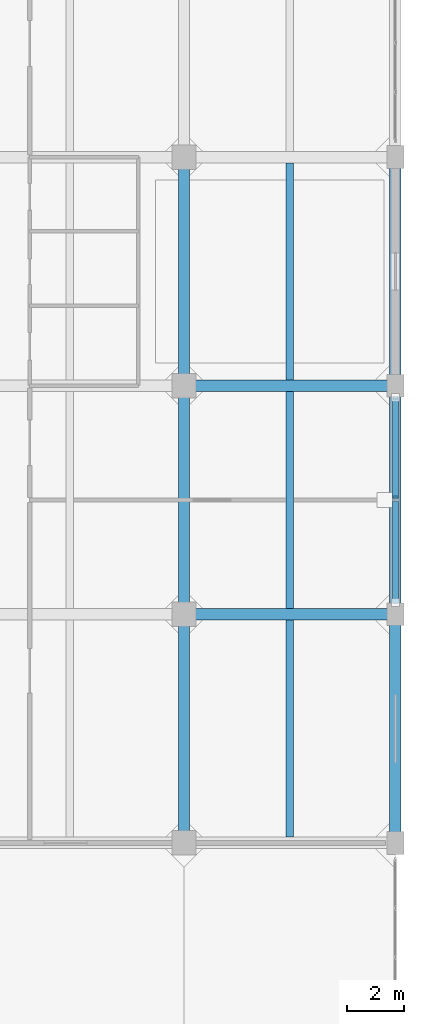
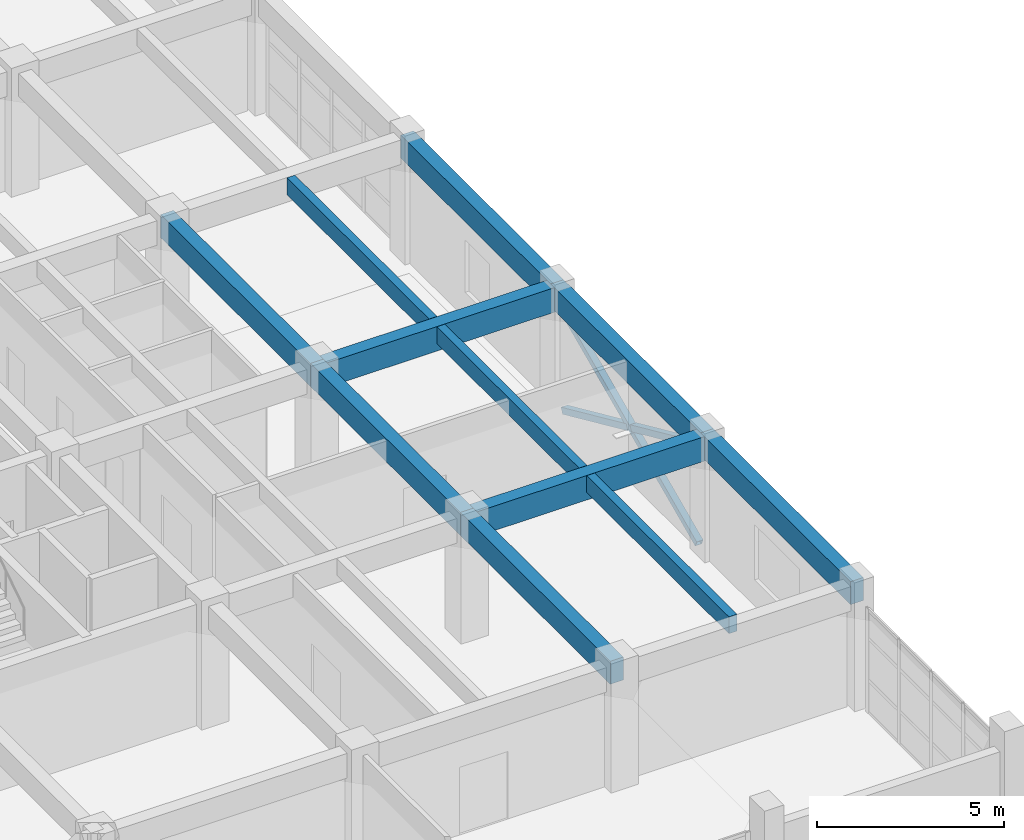
# One storey, part 10 of 27: 11 beams, 3 members.
"""IFC4 building model written with IfcOpenShell, lengths in metres."""

import ifcopenshell
import ifcopenshell.guid

model = None  # the IFC model being written
_history = None  # IfcOwnerHistory: only IFC2X3 demands one
_inside = {}  # id of a spatial element -> (the spatial element, [elements in it])
_under = {}  # id of a project, library or spatial element -> (it, [spatial elements below it])
_declared = {}  # id of a project -> (the project, [libraries it declares])
_typed = {}  # id of a type object -> (the type object, [elements of that type])
_made_of = {}  # id of a material, layer set ... -> (it, [elements and type objects made of it])


def new_model(schema):
    """Start an empty IFC model of exactly this schema.

    Asked for "IFC4X3", IfcOpenShell would pick the latest addendum, in which some entities
    have other attributes; the version numbers below select the first issue.
    IFC2X3 requires an IfcOwnerHistory on every rooted entity: one is made here for all.
    """
    global model, _history
    if schema == "IFC4X3":
        model = ifcopenshell.file(schema_version=(4, 3, 0, 0))
    else:
        model = ifcopenshell.file(schema=schema)
    _inside.clear()
    _under.clear()
    _declared.clear()
    _typed.clear()
    _made_of.clear()
    _history = None
    if model.schema == "IFC2X3":
        org = make("IfcOrganization", Name="unknown")
        user = make(
            "IfcPersonAndOrganization",
            ThePerson=make("IfcPerson", FamilyName="unknown"),
            TheOrganization=org,
        )
        app = make(
            "IfcApplication",
            ApplicationDeveloper=org,
            Version="unknown",
            ApplicationFullName="unknown",
            ApplicationIdentifier="unknown",
        )
        _history = make(
            "IfcOwnerHistory",
            OwningUser=user,
            OwningApplication=app,
            ChangeAction="ADDED",
            CreationDate=0,
        )
    return model


def make(cls, **values):
    """One entity of the class cls with the attributes given. An attribute that is None is left unset."""
    return model.create_entity(
        cls, **{name: value for name, value in values.items() if value is not None}
    )


def rooted(cls, **values):
    """An entity with a GlobalId (a new one), such as an element, a storey or a relation."""
    return make(cls, GlobalId=ifcopenshell.guid.new(), OwnerHistory=_history, **values)


def si_unit(unit_type, name, prefix=None):
    """IfcSIUnit, for example si_unit("LENGTHUNIT", "METRE", prefix="MILLI")."""
    return make("IfcSIUnit", UnitType=unit_type, Prefix=prefix, Name=name)


def assignment(units):
    """IfcUnitAssignment: the units of a project."""
    return None if units is None else make("IfcUnitAssignment", Units=units)


def point(xyz):
    """IfcCartesianPoint."""
    return None if xyz is None else make("IfcCartesianPoint", Coordinates=xyz)


def direction(xyz):
    """IfcDirection."""
    return None if xyz is None else make("IfcDirection", DirectionRatios=xyz)


def frame(location, z_axis=None, x_axis=None):
    """IfcAxis2Placement3D, a coordinate frame: its origin and axes. An axis left out is left unset."""
    return make(
        "IfcAxis2Placement3D",
        Location=point(location),
        Axis=direction(z_axis),
        RefDirection=direction(x_axis),
    )


def frame_2d(location, x_axis=None):
    """IfcAxis2Placement2D, a coordinate frame in the plane: its origin and x axis."""
    return make(
        "IfcAxis2Placement2D", Location=point(location), RefDirection=direction(x_axis)
    )


def origin():
    """The frame at (0, 0, 0) with its axes left unset."""
    return frame((0.0, 0.0, 0.0))


def origin_2d():
    """The frame at (0, 0) in the plane with its x axis left unset."""
    return frame_2d((0.0, 0.0))


def place(relative_to, where):
    """IfcLocalPlacement: puts the frame where relative to a parent placement (None: the world)."""
    return make(
        "IfcLocalPlacement", PlacementRelTo=relative_to, RelativePlacement=where
    )


def context(
    kind, dimensions, precision=None, world=None, true_north=None, identifier=None
):
    """IfcGeometricRepresentationContext, for example the 3D "Model" context."""
    return make(
        "IfcGeometricRepresentationContext",
        ContextIdentifier=identifier,
        ContextType=kind,
        CoordinateSpaceDimension=dimensions,
        Precision=precision,
        WorldCoordinateSystem=world,
        TrueNorth=true_north,
    )


def subcontext(parent, identifier, kind, view, scale=None):
    """IfcGeometricRepresentationSubContext, for example "Body" below "Model"."""
    return make(
        "IfcGeometricRepresentationSubContext",
        ContextIdentifier=identifier,
        ContextType=kind,
        ParentContext=parent,
        TargetScale=scale,
        TargetView=view,
    )


def project(units=None, contexts=None):
    """IfcProject with its units and contexts."""
    return rooted(
        "IfcProject",
        Name="project",
        RepresentationContexts=contexts,
        UnitsInContext=assignment(units),
    )


def spatial(cls, under=None, at=None, **own):
    """A site, building, storey or space (cls), placed at a placement, below another one or the project."""
    s = rooted(cls, ObjectPlacement=at, **own)
    if under is not None:
        _under.setdefault(under.id(), (under, []))[1].append(s)
    return s


def profile(cls, at=None, kind="AREA", **sizes):
    """A parametric profile (cls). Its sizes go by their IFC names, for example OverallWidth=200.0."""
    return make(cls, ProfileType=kind, Position=at, **sizes)


def rectangle(**sizes):
    """IfcRectangleProfileDef."""
    return profile("IfcRectangleProfileDef", **sizes)


def hollow_rectangle(**sizes):
    """IfcRectangleHollowProfileDef."""
    return profile("IfcRectangleHollowProfileDef", **sizes)


def extrude(swept, where, along, depth):
    """IfcExtrudedAreaSolid: the profile swept, set in the frame where, extruded along a direction by depth."""
    return make(
        "IfcExtrudedAreaSolid",
        SweptArea=swept,
        Position=where,
        ExtrudedDirection=direction(along),
        Depth=depth,
    )


def shape(context_of_items, identifier, shape_type, items):
    """IfcShapeRepresentation: the items that make up one representation, for example the "Body"."""
    return make(
        "IfcShapeRepresentation",
        ContextOfItems=context_of_items,
        RepresentationIdentifier=identifier,
        RepresentationType=shape_type,
        Items=items,
    )


def material(Name=None, Category=None):
    """IfcMaterial."""
    return make("IfcMaterial", Name=Name, Category=Category)


def material_profile(
    of_material, cross_section, Name=None, Category=None, Priority=None
):
    """IfcMaterialProfile: a cross section and its material."""
    return make(
        "IfcMaterialProfile",
        Name=Name,
        Material=of_material,
        Profile=cross_section,
        Priority=Priority,
        Category=Category,
    )


def profile_set(profiles, Name=None, composite=None):
    """IfcMaterialProfileSet."""
    return make(
        "IfcMaterialProfileSet",
        Name=Name,
        MaterialProfiles=profiles,
        CompositeProfile=composite,
    )


def made_of(thing, what):
    """Note that an element or type object is made of a material, layer set ...; save() writes the relation."""
    if what is not None:
        _made_of.setdefault(what.id(), (what, []))[1].append(thing)
    return thing


def type_object(cls, material=None, **own):
    """A type object (cls), such as IfcWallType, which elements share."""
    return made_of(rooted(cls, **own), material)


def element(
    cls,
    number,
    at=None,
    inside=None,
    cuts=None,
    type_object=None,
    material=None,
    context=None,
    identifier="Body",
    shape_type=None,
    held_by="IfcProductDefinitionShape",
    body=None,
    shapes=None,
    **own,
):
    """One element of the class cls, such as IfcWall. Its Tag is "e" and its number.

    at: its placement. inside: the storey or other place that contains it. cuts: it is an
    opening in that element (IfcRelVoidsElement). A single representation is given by context,
    identifier, shape_type and body (its items); several are given by shapes. held_by: the class
    of the entity that holds the representations. save() writes the other relations.
    """
    e = rooted(cls, Tag="e%d" % number, ObjectPlacement=at, **own)
    if body is not None:
        shapes = [shape(context, identifier, shape_type, body)]
    if shapes is not None:
        e.Representation = make(held_by, Representations=shapes)
    if inside is not None:
        _inside.setdefault(inside.id(), (inside, []))[1].append(e)
    if cuts is not None:
        rooted(
            "IfcRelVoidsElement", RelatingBuildingElement=cuts, RelatedOpeningElement=e
        )
    if type_object is not None:
        _typed.setdefault(type_object.id(), (type_object, []))[1].append(e)
    return made_of(e, material)


def aggregate(whole, parts):
    """IfcRelAggregates: a whole, such as a stair, and the parts it consists of."""
    return rooted("IfcRelAggregates", RelatingObject=whole, RelatedObjects=parts)


def save(model, path):
    """Write the relations noted so far, then the file.

    IfcRelAggregates (storeys below a building ...), IfcRelContainedInSpatialStructure (elements
    in a storey), IfcRelDefinesByType, IfcRelAssociatesMaterial and IfcRelDeclares: one each for
    every whole, place, type object, material and project.
    """
    for whole, parts in _under.values():
        aggregate(whole, parts)
    for where, things in _inside.values():
        rooted(
            "IfcRelContainedInSpatialStructure",
            RelatedElements=things,
            RelatingStructure=where,
        )
    for kind, things in _typed.values():
        rooted("IfcRelDefinesByType", RelatedObjects=things, RelatingType=kind)
    for what, things in _made_of.values():
        rooted("IfcRelAssociatesMaterial", RelatedObjects=things, RelatingMaterial=what)
    for by, libraries in _declared.values():
        rooted("IfcRelDeclares", RelatingContext=by, RelatedDefinitions=libraries)
    model.write(path)


model = new_model("IFC4")

# Units and contexts
model_context = context("Model", 3, precision=1e-05, world=origin(), true_north=direction((0.0, 1.0)))
body_context = subcontext(model_context, "Body", "Model", "MODEL_VIEW")
ifc_project = project(units=[si_unit("LENGTHUNIT", "METRE"), si_unit("AREAUNIT", "SQUARE_METRE"), si_unit("VOLUMEUNIT", "CUBIC_METRE"), si_unit("PLANEANGLEUNIT", "RADIAN"), si_unit("MASSUNIT", "GRAM", prefix="KILO")], contexts=[model_context])

# Site, building, storey
site_placement = place(None, origin())
site = spatial("IfcSite", under=ifc_project, at=site_placement, CompositionType="ELEMENT")
building_placement = place(site_placement, origin())
building = spatial("IfcBuilding", under=site, at=building_placement, Name="Canggui Botanical Conservatory", CompositionType="ELEMENT")
storey_placement = place(building_placement, frame((0.0, 0.0, 23.39990234375)))
storey = spatial("IfcBuildingStorey", under=building, at=storey_placement, Name="L06", CompositionType="ELEMENT", Elevation=23.39990234375)

# Beams
ifc_material_1 = material(Name="Concrete C35", Category="concrete")
ifc_material_profile_1 = material_profile(ifc_material_1, rectangle(XDim=0.25, YDim=0.550048828125, at=origin_2d()), Name="RB 250x550")
ifc_profile_set_1 = profile_set([ifc_material_profile_1], Name="Concrete C35")
beam_type_1 = type_object("IfcBeamType", Name="BM-JST03", PredefinedType="JOIST", material=ifc_profile_set_1)
for number, where, z_axis, x_axis, name in (
    (1, (173.699951171875, 34.205078125, 3.68505859375), (0.0, 1.0, 0.0), (-1.0, 0.0, 0.0), "Secondary Floor Joist L06-5-1"),
    (2, (173.699951171875, 42.205078125, 3.68505859375), (0.0, 1.0, 0.0), (-1.0, 0.0, 0.0), "Secondary Floor Joist L06-5-2"),
    (3, (173.699951171875, 50.205078125, 3.68505859375), (0.0, 1.0, 0.0), (-1.0, 0.0, 0.0), "Secondary Floor Joist L06-5-3"),
):
    element("IfcBeam", number, at=place(storey_placement, frame(where, z_axis=z_axis, x_axis=x_axis)), inside=storey, type_object=beam_type_1, Name=name, PredefinedType="JOIST", context=body_context, shape_type="SweptSolid", body=[
        extrude(rectangle(XDim=0.25, YDim=0.550048828125, at=origin_2d()), origin(), (0.0, 0.0, 1.0), 7.58984375),
    ])
ifc_material_profile_2 = material_profile(ifc_material_1, rectangle(XDim=0.39990234375, YDim=0.800048828125, at=origin_2d()), Name="RB 400x800")
ifc_profile_set_2 = profile_set([ifc_material_profile_2], Name="Concrete C35")
beam_type_2 = type_object("IfcBeamType", Name="BM-KL09", PredefinedType="BEAM", material=ifc_profile_set_2)
for number, where, z_axis, x_axis, name in (
    (4, (170.0, 42.0, 3.56005859375), (1.0, 0.0, 0.0), (0.0, 1.0, 0.0), "Frame Girder L06 Y42-5"),
    (5, (170.0, 50.0, 3.56005859375), (1.0, 0.0, 0.0), (0.0, 1.0, 0.0), "Frame Girder L06 Y50-5"),
):
    element("IfcBeam", number, at=place(storey_placement, frame(where, z_axis=z_axis, x_axis=x_axis)), inside=storey, type_object=beam_type_2, Name=name, PredefinedType="BEAM", context=body_context, shape_type="SweptSolid", body=[
        extrude(rectangle(XDim=0.39990234375, YDim=0.800048828125, at=origin_2d()), origin(), (0.0, 0.0, 1.0), 7.39990234375),
    ])
ifc_material_profile_3 = material_profile(ifc_material_1, rectangle(XDim=0.39990234375, YDim=0.75, at=origin_2d()), Name="RB 400x750")
ifc_profile_set_3 = profile_set([ifc_material_profile_3], Name="Concrete C35")
beam_type_3 = type_object("IfcBeamType", Name="BM-KL10", PredefinedType="BEAM", material=ifc_profile_set_3)
for number, where, z_axis, x_axis, name in (
    (6, (170.0, 34.0, 3.585205078125), (0.0, 1.0, 0.0), (-1.0, 0.0, 0.0), "Frame Girder L06 X170-1"),
    (7, (170.0, 42.0, 3.585205078125), (0.0, 1.0, 0.0), (-1.0, 0.0, 0.0), "Frame Girder L06 X170-2"),
    (8, (170.0, 50.0, 3.585205078125), (0.0, 1.0, 0.0), (-1.0, 0.0, 0.0), "Frame Girder L06 X170-3"),
    (9, (177.39990234375, 34.0, 3.585205078125), (0.0, 1.0, 0.0), (-1.0, 0.0, 0.0), "Frame Girder L06 X178-1"),
    (10, (177.39990234375, 42.0, 3.585205078125), (0.0, 1.0, 0.0), (-1.0, 0.0, 0.0), "Frame Girder L06 X178-2"),
    (11, (177.39990234375, 50.0, 3.585205078125), (0.0, 1.0, 0.0), (-1.0, 0.0, 0.0), "Frame Girder L06 X178-3"),
):
    element("IfcBeam", number, at=place(storey_placement, frame(where, z_axis=z_axis, x_axis=x_axis)), inside=storey, type_object=beam_type_3, Name=name, PredefinedType="BEAM", context=body_context, shape_type="SweptSolid", body=[
        extrude(rectangle(XDim=0.39990234375, YDim=0.75, at=origin_2d()), origin(), (0.0, 0.0, 1.0), 8.0),
    ])

# Members
ifc_material_2 = material(Name="Steel Q355B", Category="steel")
ifc_material_profile_4 = material_profile(ifc_material_2, hollow_rectangle(XDim=0.199951171875, YDim=0.199951171875, WallThickness=0.008056640625, at=origin_2d()), Name="SHS 200x200x8")
ifc_profile_set_4 = profile_set([ifc_material_profile_4], Name="Steel Q355B")
member_type = type_object("IfcMemberType", Name="MEM-ZC02", PredefinedType="BRACE", material=ifc_profile_set_4)
member_placement = place(storey_placement, frame((177.39990234375, 42.419921875, 0.050048828125), z_axis=(0.0, 0.911544271313, 0.411201947268), x_axis=(-1.0, 0.0, 0.0)))
element("IfcMember", 12, at=member_placement, inside=storey, type_object=member_type, Name="Seismic Concentric X-Brace Continuous Diagonal L06-A", PredefinedType="BRACE", context=body_context, shape_type="SweptSolid", body=[
    extrude(hollow_rectangle(XDim=0.199951171875, YDim=0.199951171875, WallThickness=0.008056640625, at=origin_2d()), origin(), (0.0, 0.0, 1.0), 7.85498046875),
])
for number, where, z_axis, x_axis, name in (
    (13, (177.39990234375, 49.580078125, 0.050048828125), (0.0, -0.911534585255, 0.411223418452), (1.0, 0.0, 0.0), "Seismic Concentric X-Brace Lower Split Diagonal L06-B1"),
    (14, (177.39990234375, 45.899658203125, 1.710205078125), (0.0, -0.911534585255, 0.411223418452), (1.0, 0.0, 0.0), "Seismic Concentric X-Brace Upper Split Diagonal L06-B2"),
):
    element("IfcMember", number, at=place(storey_placement, frame(where, z_axis=z_axis, x_axis=x_axis)), inside=storey, type_object=member_type, Name=name, PredefinedType="BRACE", context=body_context, shape_type="SweptSolid", body=[
        extrude(hollow_rectangle(XDim=0.199951171875, YDim=0.199951171875, WallThickness=0.008056640625, at=origin_2d()), origin(), (0.0, 0.0, 1.0), 3.8173828125),
    ])

save(model, "model.ifc")
